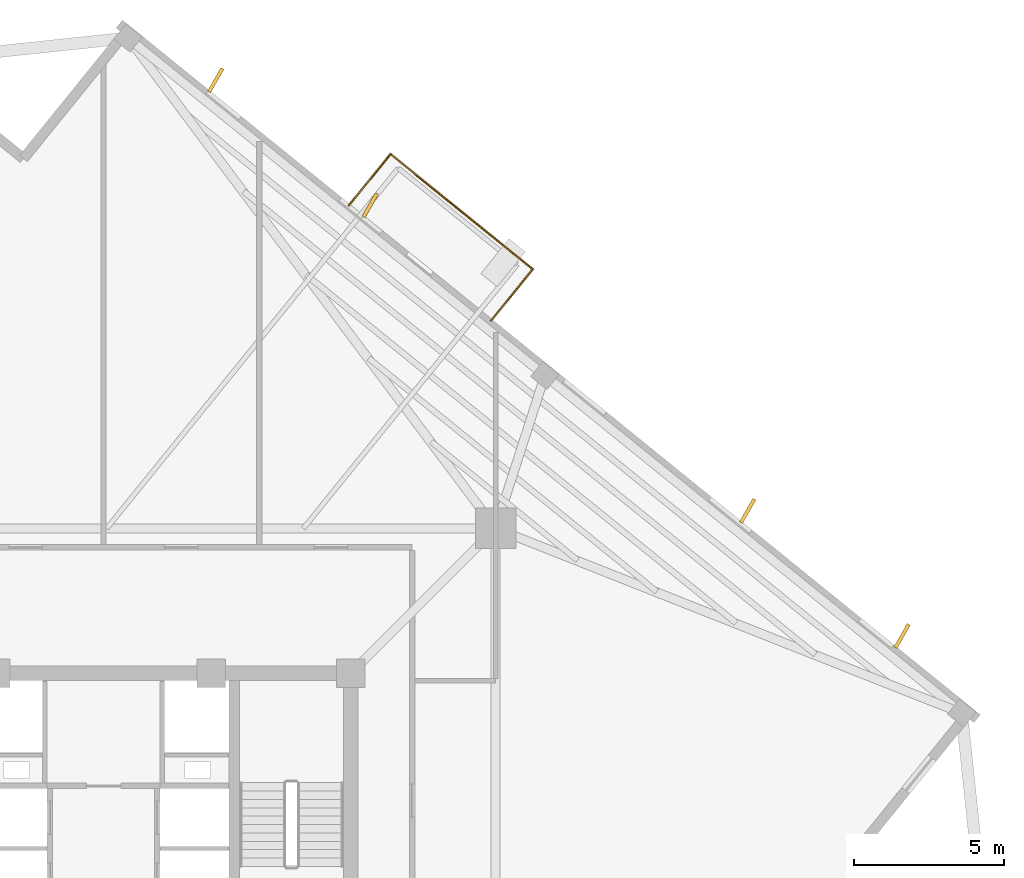
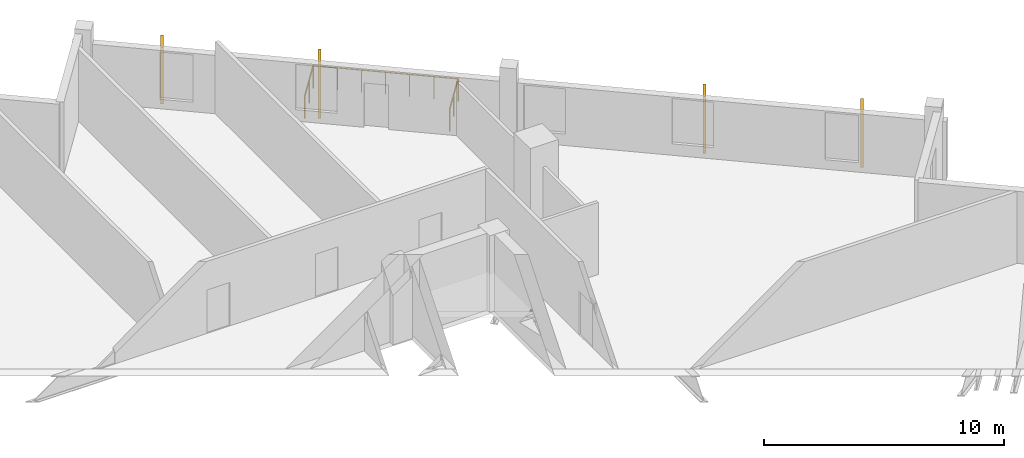
# One storey, part 10 of 10: 4 coverings, 3 railings.
"""IFC4 building model written with IfcOpenShell, lengths in metres."""

from ifc_helpers import new_model, si_unit, direction, frame, origin, origin_2d, place, context, subcontext, project, spatial, rectangle, circle, extrude, source, transform, mapped, material, layer, layer_set, type_object, element, save


model = new_model("IFC4")

# Units and contexts
model_context = context("Model", 3, precision=1e-05, world=origin(), true_north=direction((0.0, 1.0)))
body_context = subcontext(model_context, "Body", "Model", "MODEL_VIEW")
ifc_project = project(units=[si_unit("LENGTHUNIT", "METRE"), si_unit("AREAUNIT", "SQUARE_METRE"), si_unit("VOLUMEUNIT", "CUBIC_METRE"), si_unit("PLANEANGLEUNIT", "RADIAN"), si_unit("MASSUNIT", "GRAM", prefix="KILO"), si_unit("THERMODYNAMICTEMPERATUREUNIT", "KELVIN")], contexts=[model_context])

# Site, building, storey
site_placement = place(None, origin())
site = spatial("IfcSite", under=ifc_project, at=site_placement, CompositionType="ELEMENT")
building_placement = place(site_placement, origin())
building = spatial("IfcBuilding", under=site, at=building_placement, Name="Kosmvard Interchange Tower", CompositionType="ELEMENT")
storey_placement = place(building_placement, frame((0.0, 0.0, 252.39990234375)))
storey = spatial("IfcBuildingStorey", under=building, at=storey_placement, Name="L61", CompositionType="ELEMENT", Elevation=252.39990234375)

# Coverings
ifc_material_1 = material(Name="Architectural anodised aluminium", Category="aluminium")
ifc_layer = layer(ifc_material_1, 0.1201171875, Name="Architectural anodised aluminium")
ifc_layer_set = layer_set([ifc_layer], Name="Architectural anodised aluminium")
covering_type = type_object("IfcCoveringType", Name="Rotating Vertical Sun-Breaker Fin 900x120 Aluminium", PredefinedType="CLADDING", material=ifc_layer_set)
shared_shape_1 = source(origin(), body_context, "Body", "SweptSolid", [
    extrude(rectangle(XDim=0.89990234375, YDim=0.1201171875, at=origin_2d()), origin(), (0.0, 0.0, 1.0), 2.8798828125),
])
for number, where, z_axis, x_axis, name in (
    (1, (26.650146484375, 9.494384765625, 0.0400390625), (0.0, 0.0, 1.0), (0.496368025395, 0.868112195148, 0.0), "L61 Rotating Vertical Sun-Breaker Fin 05"),
    (2, (21.49658203125, 13.66748046875, 0.0400390625), (0.0, 0.0, 1.0), (0.496368025395, 0.868112195148, 0.0), "L61 Rotating Vertical Sun-Breaker Fin 06"),
    (3, (8.8994140625, 23.86865234375, 0.0400390625), (0.0, 0.0, 1.0), (0.496368025395, 0.868112195148, 0.0), "L61 Rotating Vertical Sun-Breaker Fin 07"),
    (4, (3.74609375, 28.041748046875, 0.0400390625), (0.0, 0.0, 1.0), (0.496368025395, 0.868112195148, 0.0), "L61 Rotating Vertical Sun-Breaker Fin 08"),
):
    element("IfcCovering", number, at=place(storey_placement, frame(where, z_axis=z_axis, x_axis=x_axis)), inside=storey, type_object=covering_type, Name=name, PredefinedType="CLADDING", context=body_context, shape_type="MappedRepresentation", body=[
        mapped(shared_shape_1, transform((0.0, 0.0, 0.0), scale=1.0)),
    ])

# Railings
ifc_material_2 = material(Name="Steel S355", Category="steel")
railing_type = type_object("IfcRailingType", Name="Observation & Balcony Glass-Infill Balustrade 1150", PredefinedType="BALUSTRADE", material=ifc_material_2)
shared_shape_2 = source(origin(), body_context, "Body", "SweptSolid", [
    extrude(circle(Radius=0.02392578125, at=origin_2d()), frame((0.0, 0.0, 1.1259765625), z_axis=(0.629325914736, 0.777141488432, 0.0), x_axis=(-0.777141488432, 0.629325914736, 0.0)), (0.0, 0.0, 1.0), 2.199951171875),
    extrude(circle(Radius=0.02099609375, at=origin_2d()), origin(), (0.0, 0.0, 1.0), 1.101806640625),
    extrude(circle(Radius=0.02099609375, at=origin_2d()), frame((0.6923828125, 0.85498046875, 0.0)), (0.0, 0.0, 1.0), 1.101806640625),
    extrude(circle(Radius=0.02099609375, at=origin_2d()), frame((1.384521484375, 1.709716796875, 0.0)), (0.0, 0.0, 1.0), 1.101806640625),
])
railing_1_placement = place(storey_placement, frame((12.93310546875, 20.023193359375, 0.0)))
element("IfcRailing", 5, at=railing_1_placement, inside=storey, type_object=railing_type, Name="L61 Outdoor Terrace Guard BAL-L61-E-A", PredefinedType="BALUSTRADE", context=body_context, shape_type="MappedRepresentation", body=[
    mapped(shared_shape_2, transform((0.0, 0.0, 0.0), scale=1.0)),
])
shared_shape_3 = source(origin(), body_context, "Body", "SweptSolid", [
    extrude(circle(Radius=0.02392578125, at=origin_2d()), frame((0.0, 0.0, 1.1259765625), z_axis=(-0.777137673017, 0.629330626282, 0.0), x_axis=(-0.629330626282, -0.777137673017, 0.0)), (0.0, 0.0, 1.0), 6.099853515625),
    extrude(circle(Radius=0.02099609375, at=origin_2d()), origin(), (0.0, 0.0, 1.0), 1.101806640625),
    extrude(circle(Radius=0.02099609375, at=origin_2d()), frame((-0.7900390625, 0.639892578125, 0.0)), (0.0, 0.0, 1.0), 1.101806640625),
    extrude(circle(Radius=0.02099609375, at=origin_2d()), frame((-1.580078125, 1.279541015625, 0.0)), (0.0, 0.0, 1.0), 1.101806640625),
    extrude(circle(Radius=0.02099609375, at=origin_2d()), frame((-2.3701171875, 1.91943359375, 0.0)), (0.0, 0.0, 1.0), 1.101806640625),
    extrude(circle(Radius=0.02099609375, at=origin_2d()), frame((-3.160400390625, 2.559326171875, 0.0)), (0.0, 0.0, 1.0), 1.101806640625),
    extrude(circle(Radius=0.02099609375, at=origin_2d()), frame((-3.950439453125, 3.198974609375, 0.0)), (0.0, 0.0, 1.0), 1.101806640625),
    extrude(circle(Radius=0.02099609375, at=origin_2d()), frame((-4.740478515625, 3.8388671875, 0.0)), (0.0, 0.0, 1.0), 1.101806640625),
])
railing_2_placement = place(storey_placement, frame((14.317626953125, 21.73291015625, 0.0)))
element("IfcRailing", 6, at=railing_2_placement, inside=storey, type_object=railing_type, Name="L61 Outdoor Terrace Guard BAL-L61-E-B", PredefinedType="BALUSTRADE", context=body_context, shape_type="MappedRepresentation", body=[
    mapped(shared_shape_3, transform((0.0, 0.0, 0.0), scale=1.0)),
])
shared_shape_4 = source(origin(), body_context, "Body", "SweptSolid", [
    extrude(circle(Radius=0.02392578125, at=origin_2d()), frame((0.0, 0.0, 1.1259765625), z_axis=(-0.629325914736, -0.777141488432, 0.0), x_axis=(0.777141488432, -0.629325914736, 0.0)), (0.0, 0.0, 1.0), 2.199951171875),
    extrude(circle(Radius=0.02099609375, at=origin_2d()), origin(), (0.0, 0.0, 1.0), 1.101806640625),
    extrude(circle(Radius=0.02099609375, at=origin_2d()), frame((-0.6923828125, -0.85498046875, 0.0)), (0.0, 0.0, 1.0), 1.101806640625),
    extrude(circle(Radius=0.02099609375, at=origin_2d()), frame((-1.384521484375, -1.709716796875, 0.0)), (0.0, 0.0, 1.0), 1.101806640625),
])
railing_3_placement = place(storey_placement, frame((9.5771484375, 25.57177734375, 0.0)))
element("IfcRailing", 7, at=railing_3_placement, inside=storey, type_object=railing_type, Name="L61 Outdoor Terrace Guard BAL-L61-E-C", PredefinedType="BALUSTRADE", context=body_context, shape_type="MappedRepresentation", body=[
    mapped(shared_shape_4, transform((0.0, 0.0, 0.0), scale=1.0)),
])

save(model, "model.ifc")
